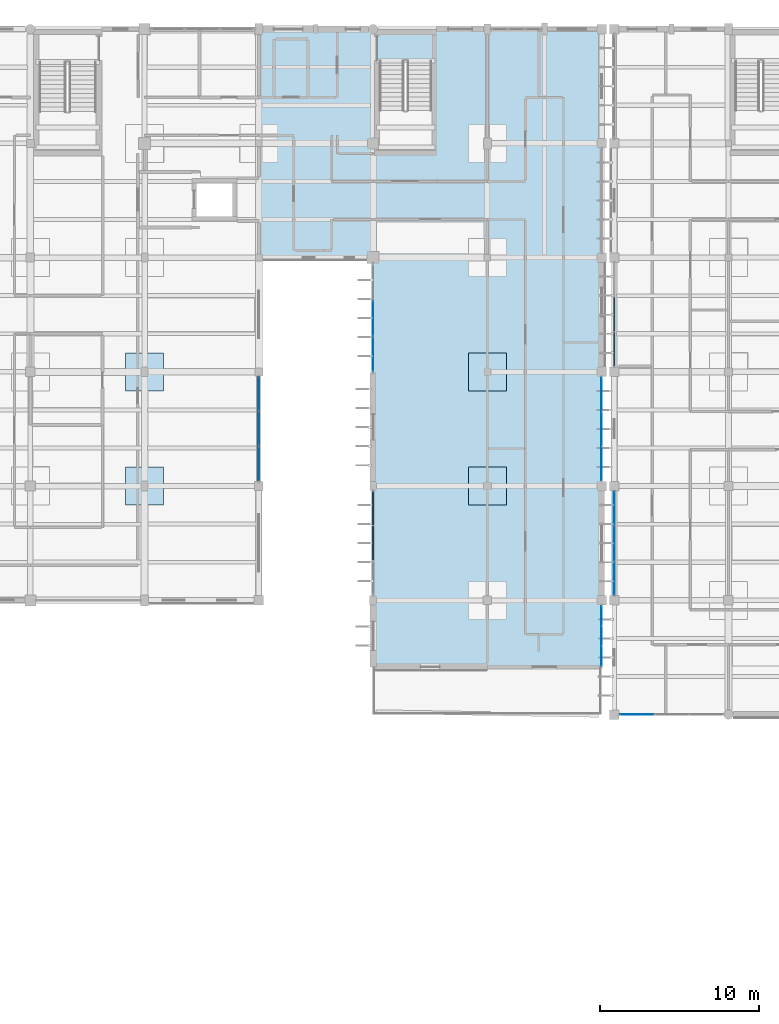
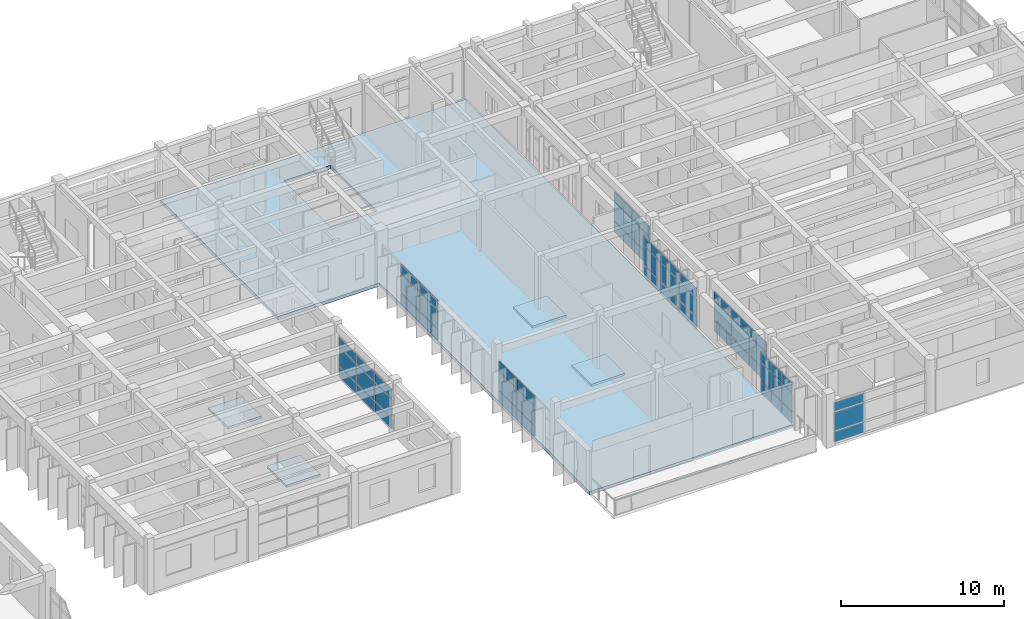
# One storey, part 27 of 55: 57 plates, 5 slabs, 8 elements without a shape of their own.
"""IFC4 building model written with IfcOpenShell, lengths in metres."""

from ifc_helpers import new_model, si_unit, direction, frame, origin, origin_2d, place, context, subcontext, project, spatial, polyline, rectangle, outline, extrude, material, layer, layer_set, type_object, element, aggregate, save


model = new_model("IFC4")

# Units and contexts
model_context = context("Model", 3, precision=1e-05, world=origin(), true_north=direction((0.0, 1.0)))
body_context = subcontext(model_context, "Body", "Model", "MODEL_VIEW")
ifc_project = project(units=[si_unit("LENGTHUNIT", "METRE"), si_unit("AREAUNIT", "SQUARE_METRE"), si_unit("VOLUMEUNIT", "CUBIC_METRE"), si_unit("PLANEANGLEUNIT", "RADIAN"), si_unit("MASSUNIT", "GRAM", prefix="KILO")], contexts=[model_context])

# Site, building, storey
site_placement = place(None, origin())
site = spatial("IfcSite", under=ifc_project, at=site_placement, CompositionType="ELEMENT")
building_placement = place(site_placement, origin())
building = spatial("IfcBuilding", under=site, at=building_placement, Name="Steenspoor Specialist Clinic", CompositionType="ELEMENT")
storey_placement = place(building_placement, frame((0.0, 0.0, 13.199951171875)))
storey = spatial("IfcBuildingStorey", under=building, at=storey_placement, Name="L03", CompositionType="ELEMENT", Elevation=13.199951171875)

# Curtain wall, plates
ifc_material_1 = material(Name="Thermally broken aluminium and low-emissivity glass", Category="aluminium")
curtain_wall_type_1 = type_object("IfcCurtainWallType", Name="CW-TYP-300X355", PredefinedType="USERDEFINED", material=ifc_material_1)
curtain_wall_1_placement = place(storey_placement, origin())
curtain_wall_1 = element("IfcCurtainWall", 1, at=curtain_wall_1_placement, inside=storey, type_object=curtain_wall_type_1, Name="Unitised Curtain Wall CW-V4-L03-111", ObjectType="UNITISED GLAZING", PredefinedType="USERDEFINED")
ifc_material_2 = material(Name="Double low-emissivity insulated glass", Category="glass")
ifc_layer_1 = layer(ifc_material_2, 0.035888671875)
ifc_layer_set_1 = layer_set([ifc_layer_1], Name="Double low-emissivity insulated glass")
plate_type_1 = type_object("IfcPlateType", Name="CW-PAN-GL36", PredefinedType="CURTAIN_PANEL", material=ifc_layer_set_1)
plate_1_placement = place(storey_placement, frame((117.199951171875, 85.333740234375, 0.070068359375), z_axis=(0.0, 0.0, 1.0), x_axis=(0.0, -1.0, 0.0)))
plate_1 = element("IfcPlate", 2, at=plate_1_placement, type_object=plate_type_1, Name="CW-15 panel 1.1", PredefinedType="CURTAIN_PANEL", context=body_context, shape_type="SweptSolid", body=[
    extrude(rectangle(XDim=2.1025390625, YDim=0.035888671875, at=origin_2d()), origin(), (0.0, 0.0, 1.0), 0.794921875),
])
plate_2_placement = place(storey_placement, frame((117.199951171875, 85.333740234375, 0.93505859375), z_axis=(0.0, 0.0, 1.0), x_axis=(0.0, -1.0, 0.0)))
plate_2 = element("IfcPlate", 3, at=plate_2_placement, type_object=plate_type_1, Name="CW-15 panel 1.2", PredefinedType="CURTAIN_PANEL", context=body_context, shape_type="SweptSolid", body=[
    extrude(rectangle(XDim=2.1025390625, YDim=0.035888671875, at=origin_2d()), origin(), (0.0, 0.0, 1.0), 1.3798828125),
])
plate_3_placement = place(storey_placement, frame((117.199951171875, 85.333740234375, 2.38525390625), z_axis=(0.0, 0.0, 1.0), x_axis=(0.0, -1.0, 0.0)))
plate_3 = element("IfcPlate", 4, at=plate_3_placement, type_object=plate_type_1, Name="CW-15 panel 1.3", PredefinedType="CURTAIN_PANEL", context=body_context, shape_type="SweptSolid", body=[
    extrude(rectangle(XDim=2.1025390625, YDim=0.035888671875, at=origin_2d()), origin(), (0.0, 0.0, 1.0), 0.675048828125),
])
plate_4_placement = place(storey_placement, frame((117.199951171875, 83.14990234375, 0.070068359375), z_axis=(0.0, 0.0, 1.0), x_axis=(0.0, -1.0, 0.0)))
plate_4 = element("IfcPlate", 5, at=plate_4_placement, type_object=plate_type_1, Name="CW-15 panel 2.1", PredefinedType="CURTAIN_PANEL", context=body_context, shape_type="SweptSolid", body=[
    extrude(rectangle(XDim=2.135009765625, YDim=0.035888671875, at=origin_2d()), origin(), (0.0, 0.0, 1.0), 0.794921875),
])
plate_5_placement = place(storey_placement, frame((117.199951171875, 83.14990234375, 0.93505859375), z_axis=(0.0, 0.0, 1.0), x_axis=(0.0, -1.0, 0.0)))
plate_5 = element("IfcPlate", 6, at=plate_5_placement, type_object=plate_type_1, Name="CW-15 panel 2.2", PredefinedType="CURTAIN_PANEL", context=body_context, shape_type="SweptSolid", body=[
    extrude(rectangle(XDim=2.135009765625, YDim=0.035888671875, at=origin_2d()), origin(), (0.0, 0.0, 1.0), 1.3798828125),
])
plate_6_placement = place(storey_placement, frame((117.199951171875, 83.14990234375, 2.38525390625), z_axis=(0.0, 0.0, 1.0), x_axis=(0.0, -1.0, 0.0)))
plate_6 = element("IfcPlate", 7, at=plate_6_placement, type_object=plate_type_1, Name="CW-15 panel 2.3", PredefinedType="CURTAIN_PANEL", context=body_context, shape_type="SweptSolid", body=[
    extrude(rectangle(XDim=2.135009765625, YDim=0.035888671875, at=origin_2d()), origin(), (0.0, 0.0, 1.0), 0.675048828125),
])
plate_7_placement = place(storey_placement, frame((117.199951171875, 80.96630859375, 0.070068359375), z_axis=(0.0, 0.0, 1.0), x_axis=(0.0, -1.0, 0.0)))
plate_7 = element("IfcPlate", 8, at=plate_7_placement, type_object=plate_type_1, Name="CW-15 panel 3.1", PredefinedType="CURTAIN_PANEL", context=body_context, shape_type="SweptSolid", body=[
    extrude(rectangle(XDim=2.1025390625, YDim=0.035888671875, at=origin_2d()), origin(), (0.0, 0.0, 1.0), 0.794921875),
])
plate_8_placement = place(storey_placement, frame((117.199951171875, 80.96630859375, 0.93505859375), z_axis=(0.0, 0.0, 1.0), x_axis=(0.0, -1.0, 0.0)))
plate_8 = element("IfcPlate", 9, at=plate_8_placement, type_object=plate_type_1, Name="CW-15 panel 3.2", PredefinedType="CURTAIN_PANEL", context=body_context, shape_type="SweptSolid", body=[
    extrude(rectangle(XDim=2.1025390625, YDim=0.035888671875, at=origin_2d()), origin(), (0.0, 0.0, 1.0), 1.3798828125),
])
plate_9_placement = place(storey_placement, frame((117.199951171875, 80.96630859375, 2.38525390625), z_axis=(0.0, 0.0, 1.0), x_axis=(0.0, -1.0, 0.0)))
plate_9 = element("IfcPlate", 10, at=plate_9_placement, type_object=plate_type_1, Name="CW-15 panel 3.3", PredefinedType="CURTAIN_PANEL", context=body_context, shape_type="SweptSolid", body=[
    extrude(rectangle(XDim=2.1025390625, YDim=0.035888671875, at=origin_2d()), origin(), (0.0, 0.0, 1.0), 0.675048828125),
])
aggregate(curtain_wall_1, [plate_1, plate_2, plate_3, plate_4, plate_5, plate_6, plate_7, plate_8, plate_9])

curtain_wall_type_2 = type_object("IfcCurtainWallType", Name="CW-SCR-480X320", PredefinedType="USERDEFINED", material=ifc_material_1)
curtain_wall_2_placement = place(storey_placement, origin())
curtain_wall_2 = element("IfcCurtainWall", 11, at=curtain_wall_2_placement, inside=storey, type_object=curtain_wall_type_2, Name="Unitised Curtain Wall CW-V4-L03-114", ObjectType="UNITISED GLAZING", PredefinedType="USERDEFINED")
plate_10_placement = place(storey_placement, frame((102.800048828125, 87.86572265625, 0.09033203125), z_axis=(0.0, 0.0, 1.0), x_axis=(0.0, 1.0, 0.0)))
plate_10 = element("IfcPlate", 12, at=plate_10_placement, type_object=plate_type_1, Name="CW-18 panel 1.1", PredefinedType="CURTAIN_PANEL", context=body_context, shape_type="SweptSolid", body=[
    extrude(rectangle(XDim=2.171630859375, YDim=0.035888671875, at=origin_2d()), origin(), (0.0, 0.0, 1.0), 0.764892578125),
])
plate_11_placement = place(storey_placement, frame((102.800048828125, 87.86572265625, 0.94482421875), z_axis=(0.0, 0.0, 1.0), x_axis=(0.0, 1.0, 0.0)))
plate_11 = element("IfcPlate", 13, at=plate_11_placement, type_object=plate_type_1, Name="CW-18 panel 1.2", PredefinedType="CURTAIN_PANEL", context=body_context, shape_type="SweptSolid", body=[
    extrude(rectangle(XDim=2.171630859375, YDim=0.035888671875, at=origin_2d()), origin(), (0.0, 0.0, 1.0), 1.360107421875),
])
plate_12_placement = place(storey_placement, frame((102.800048828125, 87.86572265625, 2.39501953125), z_axis=(0.0, 0.0, 1.0), x_axis=(0.0, 1.0, 0.0)))
plate_12 = element("IfcPlate", 14, at=plate_12_placement, type_object=plate_type_1, Name="CW-18 panel 1.3", PredefinedType="CURTAIN_PANEL", context=body_context, shape_type="SweptSolid", body=[
    extrude(rectangle(XDim=2.171630859375, YDim=0.035888671875, at=origin_2d()), origin(), (0.0, 0.0, 1.0), 0.64501953125),
])
plate_13_placement = place(storey_placement, frame((102.800048828125, 90.137451171875, 0.09033203125), z_axis=(0.0, 0.0, 1.0), x_axis=(0.0, 1.0, 0.0)))
plate_13 = element("IfcPlate", 15, at=plate_13_placement, type_object=plate_type_1, Name="CW-18 panel 2.1", PredefinedType="CURTAIN_PANEL", context=body_context, shape_type="SweptSolid", body=[
    extrude(rectangle(XDim=2.211669921875, YDim=0.035888671875, at=origin_2d()), origin(), (0.0, 0.0, 1.0), 0.764892578125),
])
plate_14_placement = place(storey_placement, frame((102.800048828125, 90.137451171875, 0.94482421875), z_axis=(0.0, 0.0, 1.0), x_axis=(0.0, 1.0, 0.0)))
plate_14 = element("IfcPlate", 16, at=plate_14_placement, type_object=plate_type_1, Name="CW-18 panel 2.2", PredefinedType="CURTAIN_PANEL", context=body_context, shape_type="SweptSolid", body=[
    extrude(rectangle(XDim=2.211669921875, YDim=0.035888671875, at=origin_2d()), origin(), (0.0, 0.0, 1.0), 1.360107421875),
])
plate_15_placement = place(storey_placement, frame((102.800048828125, 90.137451171875, 2.39501953125), z_axis=(0.0, 0.0, 1.0), x_axis=(0.0, 1.0, 0.0)))
plate_15 = element("IfcPlate", 17, at=plate_15_placement, type_object=plate_type_1, Name="CW-18 panel 2.3", PredefinedType="CURTAIN_PANEL", context=body_context, shape_type="SweptSolid", body=[
    extrude(rectangle(XDim=2.211669921875, YDim=0.035888671875, at=origin_2d()), origin(), (0.0, 0.0, 1.0), 0.64501953125),
])
aggregate(curtain_wall_2, [plate_10, plate_11, plate_12, plate_13, plate_14, plate_15])

curtain_wall_type_3 = type_object("IfcCurtainWallType", Name="CW-HALL-480X820", PredefinedType="USERDEFINED", material=ifc_material_1)
curtain_wall_3_placement = place(storey_placement, origin())
curtain_wall_3 = element("IfcCurtainWall", 18, at=curtain_wall_3_placement, inside=storey, type_object=curtain_wall_type_3, Name="Unitised Curtain Wall CW-V6-L03-195", ObjectType="UNITISED GLAZING", PredefinedType="USERDEFINED")
plate_16_placement = place(storey_placement, frame((119.416259765625, 65.14990234375, 0.080078125), z_axis=(0.0, 0.0, 1.0), x_axis=(-1.0, 0.0, 0.0)))
plate_16 = element("IfcPlate", 19, at=plate_16_placement, type_object=plate_type_1, Name="CW-03 panel 3.1", PredefinedType="CURTAIN_PANEL", context=body_context, shape_type="SweptSolid", body=[
    extrude(rectangle(XDim=2.1025390625, YDim=0.035888671875, at=origin_2d()), origin(), (0.0, 0.0, 1.0), 0.780029296875),
])
plate_17_placement = place(storey_placement, frame((119.416259765625, 65.14990234375, 0.93994140625), z_axis=(0.0, 0.0, 1.0), x_axis=(-1.0, 0.0, 0.0)))
plate_17 = element("IfcPlate", 20, at=plate_17_placement, type_object=plate_type_1, Name="CW-03 panel 3.2", PredefinedType="CURTAIN_PANEL", context=body_context, shape_type="SweptSolid", body=[
    extrude(rectangle(XDim=2.1025390625, YDim=0.035888671875, at=origin_2d()), origin(), (0.0, 0.0, 1.0), 1.3701171875),
])
plate_18_placement = place(storey_placement, frame((119.416259765625, 65.14990234375, 2.39013671875), z_axis=(0.0, 0.0, 1.0), x_axis=(-1.0, 0.0, 0.0)))
plate_18 = element("IfcPlate", 21, at=plate_18_placement, type_object=plate_type_1, Name="CW-03 panel 3.3", PredefinedType="CURTAIN_PANEL", context=body_context, shape_type="SweptSolid", body=[
    extrude(rectangle(XDim=2.1025390625, YDim=0.035888671875, at=origin_2d()), origin(), (0.0, 0.0, 1.0), 0.659912109375),
])
aggregate(curtain_wall_3, [plate_16, plate_17, plate_18])

curtain_wall_type_4 = type_object("IfcCurtainWallType", Name="CW-TYP-240X355", PredefinedType="USERDEFINED", material=ifc_material_1)
curtain_wall_4_placement = place(storey_placement, origin())
curtain_wall_4 = element("IfcCurtainWall", 22, at=curtain_wall_4_placement, inside=storey, type_object=curtain_wall_type_4, Name="Unitised Curtain Wall CW-V4-L03-112", ObjectType="UNITISED GLAZING", PredefinedType="USERDEFINED")
ifc_material_3 = material(Name="Triple acoustic laminated low-emissivity glass", Category="glass")
ifc_layer_2 = layer(ifc_material_3, 0.048095703125)
ifc_layer_set_2 = layer_set([ifc_layer_2], Name="Triple acoustic laminated low-emissivity glass")
plate_type_2 = type_object("IfcPlateType", Name="CW-PAN-GL48", PredefinedType="CURTAIN_PANEL", material=ifc_layer_set_2)
plate_19_placement = place(storey_placement, frame((117.199951171875, 71.385009765625, 0.06494140625), z_axis=(0.0, 0.0, 1.0), x_axis=(0.0, -1.0, 0.0)))
plate_19 = element("IfcPlate", 23, at=plate_19_placement, type_object=plate_type_2, Name="CW-16 panel 1.1", PredefinedType="CURTAIN_PANEL", context=body_context, shape_type="SweptSolid", body=[
    extrude(rectangle(XDim=1.2099609375, YDim=0.048095703125, at=origin_2d()), origin(), (0.0, 0.0, 1.0), 0.802490234375),
])
plate_20_placement = place(storey_placement, frame((117.199951171875, 71.385009765625, 0.9326171875), z_axis=(0.0, 0.0, 1.0), x_axis=(0.0, -1.0, 0.0)))
plate_20 = element("IfcPlate", 24, at=plate_20_placement, type_object=plate_type_2, Name="CW-16 panel 1.2", PredefinedType="CURTAIN_PANEL", context=body_context, shape_type="SweptSolid", body=[
    extrude(rectangle(XDim=1.2099609375, YDim=0.048095703125, at=origin_2d()), origin(), (0.0, 0.0, 1.0), 1.385009765625),
])
plate_21_placement = place(storey_placement, frame((117.199951171875, 71.385009765625, 2.382568359375), z_axis=(0.0, 0.0, 1.0), x_axis=(0.0, -1.0, 0.0)))
plate_21 = element("IfcPlate", 25, at=plate_21_placement, type_object=plate_type_2, Name="CW-16 panel 1.3", PredefinedType="CURTAIN_PANEL", context=body_context, shape_type="SweptSolid", body=[
    extrude(rectangle(XDim=1.2099609375, YDim=0.048095703125, at=origin_2d()), origin(), (0.0, 0.0, 1.0), 0.6826171875),
])
plate_22_placement = place(storey_placement, frame((117.199951171875, 70.10009765625, 0.06494140625), z_axis=(0.0, 0.0, 1.0), x_axis=(0.0, -1.0, 0.0)))
plate_22 = element("IfcPlate", 26, at=plate_22_placement, type_object=plate_type_2, Name="CW-16 panel 2.1", PredefinedType="CURTAIN_PANEL", context=body_context, shape_type="SweptSolid", body=[
    extrude(rectangle(XDim=1.239990234375, YDim=0.048095703125, at=origin_2d()), origin(), (0.0, 0.0, 1.0), 0.802490234375),
])
plate_23_placement = place(storey_placement, frame((117.199951171875, 70.10009765625, 0.9326171875), z_axis=(0.0, 0.0, 1.0), x_axis=(0.0, -1.0, 0.0)))
plate_23 = element("IfcPlate", 27, at=plate_23_placement, type_object=plate_type_2, Name="CW-16 panel 2.2", PredefinedType="CURTAIN_PANEL", context=body_context, shape_type="SweptSolid", body=[
    extrude(rectangle(XDim=1.239990234375, YDim=0.048095703125, at=origin_2d()), origin(), (0.0, 0.0, 1.0), 1.385009765625),
])
plate_24_placement = place(storey_placement, frame((117.199951171875, 70.10009765625, 2.382568359375), z_axis=(0.0, 0.0, 1.0), x_axis=(0.0, -1.0, 0.0)))
plate_24 = element("IfcPlate", 28, at=plate_24_placement, type_object=plate_type_2, Name="CW-16 panel 2.3", PredefinedType="CURTAIN_PANEL", context=body_context, shape_type="SweptSolid", body=[
    extrude(rectangle(XDim=1.239990234375, YDim=0.048095703125, at=origin_2d()), origin(), (0.0, 0.0, 1.0), 0.6826171875),
])
plate_25_placement = place(storey_placement, frame((117.199951171875, 68.81494140625, 0.06494140625), z_axis=(0.0, 0.0, 1.0), x_axis=(0.0, -1.0, 0.0)))
plate_25 = element("IfcPlate", 29, at=plate_25_placement, type_object=plate_type_2, Name="CW-16 panel 3.1", PredefinedType="CURTAIN_PANEL", context=body_context, shape_type="SweptSolid", body=[
    extrude(rectangle(XDim=1.2099609375, YDim=0.048095703125, at=origin_2d()), origin(), (0.0, 0.0, 1.0), 0.802490234375),
])
plate_26_placement = place(storey_placement, frame((117.199951171875, 68.81494140625, 0.9326171875), z_axis=(0.0, 0.0, 1.0), x_axis=(0.0, -1.0, 0.0)))
plate_26 = element("IfcPlate", 30, at=plate_26_placement, type_object=plate_type_2, Name="CW-16 panel 3.2", PredefinedType="CURTAIN_PANEL", context=body_context, shape_type="SweptSolid", body=[
    extrude(rectangle(XDim=1.2099609375, YDim=0.048095703125, at=origin_2d()), origin(), (0.0, 0.0, 1.0), 1.385009765625),
])
plate_27_placement = place(storey_placement, frame((117.199951171875, 68.81494140625, 2.382568359375), z_axis=(0.0, 0.0, 1.0), x_axis=(0.0, -1.0, 0.0)))
plate_27 = element("IfcPlate", 31, at=plate_27_placement, type_object=plate_type_2, Name="CW-16 panel 3.3", PredefinedType="CURTAIN_PANEL", context=body_context, shape_type="SweptSolid", body=[
    extrude(rectangle(XDim=1.2099609375, YDim=0.048095703125, at=origin_2d()), origin(), (0.0, 0.0, 1.0), 0.6826171875),
])
aggregate(curtain_wall_4, [plate_19, plate_20, plate_21, plate_22, plate_23, plate_24, plate_25, plate_26, plate_27])

curtain_wall_type_5 = type_object("IfcCurtainWallType", Name="CW-SCR-360X320", PredefinedType="USERDEFINED", material=ifc_material_1)
curtain_wall_5_placement = place(storey_placement, origin())
curtain_wall_5 = element("IfcCurtainWall", 32, at=curtain_wall_5_placement, inside=storey, type_object=curtain_wall_type_5, Name="Unitised Curtain Wall CW-V4-L03-115", ObjectType="UNITISED GLAZING", PredefinedType="USERDEFINED")
plate_28_placement = place(storey_placement, frame((95.60009765625, 85.367431640625, 0.080078125), z_axis=(0.0, 0.0, 1.0), x_axis=(0.0, -1.0, 0.0)))
plate_28 = element("IfcPlate", 33, at=plate_28_placement, type_object=plate_type_2, Name="CW-19 panel 1.1", PredefinedType="CURTAIN_PANEL", context=body_context, shape_type="SweptSolid", body=[
    extrude(rectangle(XDim=2.10498046875, YDim=0.048095703125, at=origin_2d()), origin(), (0.0, 0.0, 1.0), 0.780029296875),
])
plate_29_placement = place(storey_placement, frame((95.60009765625, 85.367431640625, 0.93994140625), z_axis=(0.0, 0.0, 1.0), x_axis=(0.0, -1.0, 0.0)))
plate_29 = element("IfcPlate", 34, at=plate_29_placement, type_object=plate_type_2, Name="CW-19 panel 1.2", PredefinedType="CURTAIN_PANEL", context=body_context, shape_type="SweptSolid", body=[
    extrude(rectangle(XDim=2.10498046875, YDim=0.048095703125, at=origin_2d()), origin(), (0.0, 0.0, 1.0), 1.3701171875),
])
plate_30_placement = place(storey_placement, frame((95.60009765625, 85.367431640625, 2.39013671875), z_axis=(0.0, 0.0, 1.0), x_axis=(0.0, -1.0, 0.0)))
plate_30 = element("IfcPlate", 35, at=plate_30_placement, type_object=plate_type_2, Name="CW-19 panel 1.3", PredefinedType="CURTAIN_PANEL", context=body_context, shape_type="SweptSolid", body=[
    extrude(rectangle(XDim=2.10498046875, YDim=0.048095703125, at=origin_2d()), origin(), (0.0, 0.0, 1.0), 0.659912109375),
])
plate_31_placement = place(storey_placement, frame((95.60009765625, 83.16259765625, 0.080078125), z_axis=(0.0, 0.0, 1.0), x_axis=(0.0, -1.0, 0.0)))
plate_31 = element("IfcPlate", 36, at=plate_31_placement, type_object=plate_type_2, Name="CW-19 panel 2.1", PredefinedType="CURTAIN_PANEL", context=body_context, shape_type="SweptSolid", body=[
    extrude(rectangle(XDim=2.14501953125, YDim=0.048095703125, at=origin_2d()), origin(), (0.0, 0.0, 1.0), 0.780029296875),
])
plate_32_placement = place(storey_placement, frame((95.60009765625, 83.16259765625, 0.93994140625), z_axis=(0.0, 0.0, 1.0), x_axis=(0.0, -1.0, 0.0)))
plate_32 = element("IfcPlate", 37, at=plate_32_placement, type_object=plate_type_2, Name="CW-19 panel 2.2", PredefinedType="CURTAIN_PANEL", context=body_context, shape_type="SweptSolid", body=[
    extrude(rectangle(XDim=2.14501953125, YDim=0.048095703125, at=origin_2d()), origin(), (0.0, 0.0, 1.0), 1.3701171875),
])
plate_33_placement = place(storey_placement, frame((95.60009765625, 83.16259765625, 2.39013671875), z_axis=(0.0, 0.0, 1.0), x_axis=(0.0, -1.0, 0.0)))
plate_33 = element("IfcPlate", 38, at=plate_33_placement, type_object=plate_type_2, Name="CW-19 panel 2.3", PredefinedType="CURTAIN_PANEL", context=body_context, shape_type="SweptSolid", body=[
    extrude(rectangle(XDim=2.14501953125, YDim=0.048095703125, at=origin_2d()), origin(), (0.0, 0.0, 1.0), 0.659912109375),
])
plate_34_placement = place(storey_placement, frame((95.60009765625, 80.95751953125, 0.080078125), z_axis=(0.0, 0.0, 1.0), x_axis=(0.0, -1.0, 0.0)))
plate_34 = element("IfcPlate", 39, at=plate_34_placement, type_object=plate_type_2, Name="CW-19 panel 3.1", PredefinedType="CURTAIN_PANEL", context=body_context, shape_type="SweptSolid", body=[
    extrude(rectangle(XDim=2.10498046875, YDim=0.048095703125, at=origin_2d()), origin(), (0.0, 0.0, 1.0), 0.780029296875),
])
plate_35_placement = place(storey_placement, frame((95.60009765625, 80.95751953125, 0.93994140625), z_axis=(0.0, 0.0, 1.0), x_axis=(0.0, -1.0, 0.0)))
plate_35 = element("IfcPlate", 40, at=plate_35_placement, type_object=plate_type_2, Name="CW-19 panel 3.2", PredefinedType="CURTAIN_PANEL", context=body_context, shape_type="SweptSolid", body=[
    extrude(rectangle(XDim=2.10498046875, YDim=0.048095703125, at=origin_2d()), origin(), (0.0, 0.0, 1.0), 1.3701171875),
])
plate_36_placement = place(storey_placement, frame((95.60009765625, 80.95751953125, 2.39013671875), z_axis=(0.0, 0.0, 1.0), x_axis=(0.0, -1.0, 0.0)))
plate_36 = element("IfcPlate", 41, at=plate_36_placement, type_object=plate_type_2, Name="CW-19 panel 3.3", PredefinedType="CURTAIN_PANEL", context=body_context, shape_type="SweptSolid", body=[
    extrude(rectangle(XDim=2.10498046875, YDim=0.048095703125, at=origin_2d()), origin(), (0.0, 0.0, 1.0), 0.659912109375),
])
aggregate(curtain_wall_5, [plate_28, plate_29, plate_30, plate_31, plate_32, plate_33, plate_34, plate_35, plate_36])

curtain_wall_type_6 = type_object("IfcCurtainWallType", Name="CW-L00-660X415", PredefinedType="USERDEFINED", material=ifc_material_1)
curtain_wall_6_placement = place(storey_placement, origin())
curtain_wall_6 = element("IfcCurtainWall", 42, at=curtain_wall_6_placement, inside=storey, type_object=curtain_wall_type_6, Name="Unitised Curtain Wall CW-V6-L03-196", ObjectType="UNITISED GLAZING", PredefinedType="USERDEFINED")
plate_37_placement = place(storey_placement, frame((118.0, 73.764892578125, 0.070068359375), z_axis=(0.0, 0.0, 1.0), x_axis=(0.0, 1.0, 0.0)))
plate_37 = element("IfcPlate", 43, at=plate_37_placement, type_object=plate_type_2, Name="CW-04 panel 1.1", PredefinedType="CURTAIN_PANEL", context=body_context, shape_type="SweptSolid", body=[
    extrude(rectangle(XDim=2.110107421875, YDim=0.048095703125, at=origin_2d()), origin(), (0.0, 0.0, 1.0), 0.794921875),
])
plate_38_placement = place(storey_placement, frame((118.0, 73.764892578125, 0.93505859375), z_axis=(0.0, 0.0, 1.0), x_axis=(0.0, 1.0, 0.0)))
plate_38 = element("IfcPlate", 44, at=plate_38_placement, type_object=plate_type_2, Name="CW-04 panel 1.2", PredefinedType="CURTAIN_PANEL", context=body_context, shape_type="SweptSolid", body=[
    extrude(rectangle(XDim=2.110107421875, YDim=0.048095703125, at=origin_2d()), origin(), (0.0, 0.0, 1.0), 1.3798828125),
])
plate_39_placement = place(storey_placement, frame((118.0, 73.764892578125, 2.38525390625), z_axis=(0.0, 0.0, 1.0), x_axis=(0.0, 1.0, 0.0)))
plate_39 = element("IfcPlate", 45, at=plate_39_placement, type_object=plate_type_2, Name="CW-04 panel 1.3", PredefinedType="CURTAIN_PANEL", context=body_context, shape_type="SweptSolid", body=[
    extrude(rectangle(XDim=2.110107421875, YDim=0.048095703125, at=origin_2d()), origin(), (0.0, 0.0, 1.0), 0.675048828125),
])
plate_40_placement = place(storey_placement, frame((118.0, 75.949951171875, 0.070068359375), z_axis=(0.0, 0.0, 1.0), x_axis=(0.0, 1.0, 0.0)))
plate_40 = element("IfcPlate", 46, at=plate_40_placement, type_object=plate_type_2, Name="CW-04 panel 2.1", PredefinedType="CURTAIN_PANEL", context=body_context, shape_type="SweptSolid", body=[
    extrude(rectangle(XDim=2.139892578125, YDim=0.048095703125, at=origin_2d()), origin(), (0.0, 0.0, 1.0), 0.794921875),
])
plate_41_placement = place(storey_placement, frame((118.0, 75.949951171875, 0.93505859375), z_axis=(0.0, 0.0, 1.0), x_axis=(0.0, 1.0, 0.0)))
plate_41 = element("IfcPlate", 47, at=plate_41_placement, type_object=plate_type_2, Name="CW-04 panel 2.2", PredefinedType="CURTAIN_PANEL", context=body_context, shape_type="SweptSolid", body=[
    extrude(rectangle(XDim=2.139892578125, YDim=0.048095703125, at=origin_2d()), origin(), (0.0, 0.0, 1.0), 1.3798828125),
])
plate_42_placement = place(storey_placement, frame((118.0, 75.949951171875, 2.38525390625), z_axis=(0.0, 0.0, 1.0), x_axis=(0.0, 1.0, 0.0)))
plate_42 = element("IfcPlate", 48, at=plate_42_placement, type_object=plate_type_2, Name="CW-04 panel 2.3", PredefinedType="CURTAIN_PANEL", context=body_context, shape_type="SweptSolid", body=[
    extrude(rectangle(XDim=2.139892578125, YDim=0.048095703125, at=origin_2d()), origin(), (0.0, 0.0, 1.0), 0.675048828125),
])
plate_43_placement = place(storey_placement, frame((118.0, 78.135009765625, 0.070068359375), z_axis=(0.0, 0.0, 1.0), x_axis=(0.0, 1.0, 0.0)))
plate_43 = element("IfcPlate", 49, at=plate_43_placement, type_object=plate_type_2, Name="CW-04 panel 3.1", PredefinedType="CURTAIN_PANEL", context=body_context, shape_type="SweptSolid", body=[
    extrude(rectangle(XDim=2.110107421875, YDim=0.048095703125, at=origin_2d()), origin(), (0.0, 0.0, 1.0), 0.794921875),
])
plate_44_placement = place(storey_placement, frame((118.0, 78.135009765625, 0.93505859375), z_axis=(0.0, 0.0, 1.0), x_axis=(0.0, 1.0, 0.0)))
plate_44 = element("IfcPlate", 50, at=plate_44_placement, type_object=plate_type_2, Name="CW-04 panel 3.2", PredefinedType="CURTAIN_PANEL", context=body_context, shape_type="SweptSolid", body=[
    extrude(rectangle(XDim=2.110107421875, YDim=0.048095703125, at=origin_2d()), origin(), (0.0, 0.0, 1.0), 1.3798828125),
])
plate_45_placement = place(storey_placement, frame((118.0, 78.135009765625, 2.38525390625), z_axis=(0.0, 0.0, 1.0), x_axis=(0.0, 1.0, 0.0)))
plate_45 = element("IfcPlate", 51, at=plate_45_placement, type_object=plate_type_2, Name="CW-04 panel 3.3", PredefinedType="CURTAIN_PANEL", context=body_context, shape_type="SweptSolid", body=[
    extrude(rectangle(XDim=2.110107421875, YDim=0.048095703125, at=origin_2d()), origin(), (0.0, 0.0, 1.0), 0.675048828125),
])
aggregate(curtain_wall_6, [plate_37, plate_38, plate_39, plate_40, plate_41, plate_42, plate_43, plate_44, plate_45])

curtain_wall_type_7 = type_object("IfcCurtainWallType", Name="CW-SCR-660X320", PredefinedType="USERDEFINED", material=ifc_material_1)
curtain_wall_7_placement = place(storey_placement, origin())
curtain_wall_7 = element("IfcCurtainWall", 52, at=curtain_wall_7_placement, inside=storey, type_object=curtain_wall_type_7, Name="Unitised Curtain Wall CW-V4-L03-113", ObjectType="UNITISED GLAZING", PredefinedType="USERDEFINED")
ifc_material_4 = material(Name="Insulated glazed ceramic spandrel panel", Category="glass")
ifc_layer_3 = layer(ifc_material_4, 0.074951171875)
ifc_layer_set_3 = layer_set([ifc_layer_3], Name="Insulated glazed ceramic spandrel panel")
plate_type_3 = type_object("IfcPlateType", Name="CW-PAN-SP75", PredefinedType="CURTAIN_PANEL", material=ifc_layer_set_3)
plate_46_placement = place(storey_placement, frame((102.800048828125, 75.96240234375, 0.06005859375), z_axis=(0.0, 0.0, 1.0), x_axis=(0.0, 1.0, 0.0)))
plate_46 = element("IfcPlate", 53, at=plate_46_placement, type_object=plate_type_3, Name="CW-17 panel 2.1", PredefinedType="CURTAIN_PANEL", context=body_context, shape_type="SweptSolid", body=[
    extrude(rectangle(XDim=2.118408203125, YDim=0.074951171875, at=origin_2d()), origin(), (0.0, 0.0, 1.0), 0.81005859375),
])
plate_47_placement = place(storey_placement, frame((102.800048828125, 75.96240234375, 0.93017578125), z_axis=(0.0, 0.0, 1.0), x_axis=(0.0, 1.0, 0.0)))
plate_47 = element("IfcPlate", 54, at=plate_47_placement, type_object=plate_type_3, Name="CW-17 panel 2.2", PredefinedType="CURTAIN_PANEL", context=body_context, shape_type="SweptSolid", body=[
    extrude(rectangle(XDim=2.118408203125, YDim=0.074951171875, at=origin_2d()), origin(), (0.0, 0.0, 1.0), 1.389892578125),
])
plate_48_placement = place(storey_placement, frame((102.800048828125, 75.96240234375, 2.380126953125), z_axis=(0.0, 0.0, 1.0), x_axis=(0.0, 1.0, 0.0)))
plate_48 = element("IfcPlate", 55, at=plate_48_placement, type_object=plate_type_3, Name="CW-17 panel 2.3", PredefinedType="CURTAIN_PANEL", context=body_context, shape_type="SweptSolid", body=[
    extrude(rectangle(XDim=2.118408203125, YDim=0.074951171875, at=origin_2d()), origin(), (0.0, 0.0, 1.0), 0.68994140625),
])
plate_49_placement = place(storey_placement, frame((102.800048828125, 78.1484375, 0.06005859375), z_axis=(0.0, 0.0, 1.0), x_axis=(0.0, 1.0, 0.0)))
plate_49 = element("IfcPlate", 56, at=plate_49_placement, type_object=plate_type_3, Name="CW-17 panel 3.1", PredefinedType="CURTAIN_PANEL", context=body_context, shape_type="SweptSolid", body=[
    extrude(rectangle(XDim=2.0732421875, YDim=0.074951171875, at=origin_2d()), origin(), (0.0, 0.0, 1.0), 0.81005859375),
])
plate_50_placement = place(storey_placement, frame((102.800048828125, 78.1484375, 0.93017578125), z_axis=(0.0, 0.0, 1.0), x_axis=(0.0, 1.0, 0.0)))
plate_50 = element("IfcPlate", 57, at=plate_50_placement, type_object=plate_type_3, Name="CW-17 panel 3.2", PredefinedType="CURTAIN_PANEL", context=body_context, shape_type="SweptSolid", body=[
    extrude(rectangle(XDim=2.0732421875, YDim=0.074951171875, at=origin_2d()), origin(), (0.0, 0.0, 1.0), 1.389892578125),
])
plate_51_placement = place(storey_placement, frame((102.800048828125, 78.1484375, 2.380126953125), z_axis=(0.0, 0.0, 1.0), x_axis=(0.0, 1.0, 0.0)))
plate_51 = element("IfcPlate", 58, at=plate_51_placement, type_object=plate_type_3, Name="CW-17 panel 3.3", PredefinedType="CURTAIN_PANEL", context=body_context, shape_type="SweptSolid", body=[
    extrude(rectangle(XDim=2.0732421875, YDim=0.074951171875, at=origin_2d()), origin(), (0.0, 0.0, 1.0), 0.68994140625),
])
aggregate(curtain_wall_7, [plate_46, plate_47, plate_48, plate_49, plate_50, plate_51])

curtain_wall_type_8 = type_object("IfcCurtainWallType", Name="CW-L00-650X415", PredefinedType="USERDEFINED", material=ifc_material_1)
curtain_wall_8_placement = place(storey_placement, origin())
curtain_wall_8 = element("IfcCurtainWall", 59, at=curtain_wall_8_placement, inside=storey, type_object=curtain_wall_type_8, Name="Unitised Curtain Wall CW-V6-L03-197", ObjectType="UNITISED GLAZING", PredefinedType="USERDEFINED")
plate_52_placement = place(storey_placement, frame((118.0, 88.172607421875, 0.06494140625), z_axis=(0.0, 0.0, 1.0), x_axis=(0.0, 1.0, 0.0)))
plate_52 = element("IfcPlate", 60, at=plate_52_placement, type_object=plate_type_3, Name="CW-05 panel 1.1", PredefinedType="CURTAIN_PANEL", context=body_context, shape_type="SweptSolid", body=[
    extrude(rectangle(XDim=2.06494140625, YDim=0.074951171875, at=origin_2d()), origin(), (0.0, 0.0, 1.0), 0.802490234375),
])
plate_53_placement = place(storey_placement, frame((118.0, 88.172607421875, 0.9326171875), z_axis=(0.0, 0.0, 1.0), x_axis=(0.0, 1.0, 0.0)))
plate_53 = element("IfcPlate", 61, at=plate_53_placement, type_object=plate_type_3, Name="CW-05 panel 1.2", PredefinedType="CURTAIN_PANEL", context=body_context, shape_type="SweptSolid", body=[
    extrude(rectangle(XDim=2.06494140625, YDim=0.074951171875, at=origin_2d()), origin(), (0.0, 0.0, 1.0), 1.385009765625),
])
plate_54_placement = place(storey_placement, frame((118.0, 88.172607421875, 2.382568359375), z_axis=(0.0, 0.0, 1.0), x_axis=(0.0, 1.0, 0.0)))
plate_54 = element("IfcPlate", 62, at=plate_54_placement, type_object=plate_type_3, Name="CW-05 panel 1.3", PredefinedType="CURTAIN_PANEL", context=body_context, shape_type="SweptSolid", body=[
    extrude(rectangle(XDim=2.06494140625, YDim=0.074951171875, at=origin_2d()), origin(), (0.0, 0.0, 1.0), 0.6826171875),
])
plate_55_placement = place(storey_placement, frame((118.0, 90.35009765625, 0.06494140625), z_axis=(0.0, 0.0, 1.0), x_axis=(0.0, 1.0, 0.0)))
plate_55 = element("IfcPlate", 63, at=plate_55_placement, type_object=plate_type_3, Name="CW-05 panel 2.1", PredefinedType="CURTAIN_PANEL", context=body_context, shape_type="SweptSolid", body=[
    extrude(rectangle(XDim=2.110107421875, YDim=0.074951171875, at=origin_2d()), origin(), (0.0, 0.0, 1.0), 0.802490234375),
])
plate_56_placement = place(storey_placement, frame((118.0, 90.35009765625, 0.9326171875), z_axis=(0.0, 0.0, 1.0), x_axis=(0.0, 1.0, 0.0)))
plate_56 = element("IfcPlate", 64, at=plate_56_placement, type_object=plate_type_3, Name="CW-05 panel 2.2", PredefinedType="CURTAIN_PANEL", context=body_context, shape_type="SweptSolid", body=[
    extrude(rectangle(XDim=2.110107421875, YDim=0.074951171875, at=origin_2d()), origin(), (0.0, 0.0, 1.0), 1.385009765625),
])
plate_57_placement = place(storey_placement, frame((118.0, 90.35009765625, 2.382568359375), z_axis=(0.0, 0.0, 1.0), x_axis=(0.0, 1.0, 0.0)))
plate_57 = element("IfcPlate", 65, at=plate_57_placement, type_object=plate_type_3, Name="CW-05 panel 2.3", PredefinedType="CURTAIN_PANEL", context=body_context, shape_type="SweptSolid", body=[
    extrude(rectangle(XDim=2.110107421875, YDim=0.074951171875, at=origin_2d()), origin(), (0.0, 0.0, 1.0), 0.6826171875),
])
aggregate(curtain_wall_8, [plate_52, plate_53, plate_54, plate_55, plate_56, plate_57])

# Slabs
ifc_material_5 = material(Name="Concrete C35/45", Category="concrete")
ifc_layer_4 = layer(ifc_material_5, 0.169921875)
ifc_layer_set_4 = layer_set([ifc_layer_4], Name="Concrete C35/45")
slab_type_1 = type_object("IfcSlabType", Name="SL-DROP-170", PredefinedType="USERDEFINED", material=ifc_layer_set_4)
slab_1_placement = place(storey_placement, frame((0.0, 0.0, -0.419921875)))
element("IfcSlab", 66, at=slab_1_placement, inside=storey, type_object=slab_type_1, Name="Column Drop Panel DROP-V4-L03-064", ObjectType="DROP PANEL", PredefinedType="USERDEFINED", context=body_context, shape_type="SweptSolid", body=[
    extrude(outline(polyline([(89.60009765625, 78.35009765625), (89.60009765625, 80.75), (87.199951171875, 80.75), (87.199951171875, 78.35009765625), (89.60009765625, 78.35009765625)])), origin(), (0.0, 0.0, 1.0), 0.169921875),
])
slab_2_placement = place(storey_placement, frame((0.0, 0.0, -0.419921875)))
element("IfcSlab", 67, at=slab_2_placement, inside=storey, type_object=slab_type_1, Name="Column Drop Panel DROP-V4-L03-065", ObjectType="DROP PANEL", PredefinedType="USERDEFINED", context=body_context, shape_type="SweptSolid", body=[
    extrude(outline(polyline([(89.60009765625, 85.550048828125), (89.60009765625, 87.949951171875), (87.199951171875, 87.949951171875), (87.199951171875, 85.550048828125), (89.60009765625, 85.550048828125)])), origin(), (0.0, 0.0, 1.0), 0.169921875),
])
slab_3_placement = place(storey_placement, frame((0.0, 0.0, -0.419921875)))
element("IfcSlab", 68, at=slab_3_placement, inside=storey, type_object=slab_type_1, Name="Column Drop Panel DROP-V4-L03-070", ObjectType="DROP PANEL", PredefinedType="USERDEFINED", context=body_context, shape_type="SweptSolid", body=[
    extrude(outline(polyline([(111.199951171875, 78.35009765625), (111.199951171875, 80.75), (108.800048828125, 80.75), (108.800048828125, 78.35009765625), (111.199951171875, 78.35009765625)])), origin(), (0.0, 0.0, 1.0), 0.169921875),
])
slab_4_placement = place(storey_placement, frame((0.0, 0.0, -0.419921875)))
element("IfcSlab", 69, at=slab_4_placement, inside=storey, type_object=slab_type_1, Name="Column Drop Panel DROP-V4-L03-071", ObjectType="DROP PANEL", PredefinedType="USERDEFINED", context=body_context, shape_type="SweptSolid", body=[
    extrude(outline(polyline([(111.199951171875, 85.550048828125), (111.199951171875, 87.949951171875), (108.800048828125, 87.949951171875), (108.800048828125, 85.550048828125), (111.199951171875, 85.550048828125)])), origin(), (0.0, 0.0, 1.0), 0.169921875),
])
ifc_layer_5 = layer(ifc_material_5, 0.25)
ifc_layer_set_5 = layer_set([ifc_layer_5], Name="Concrete C35/45")
slab_type_2 = type_object("IfcSlabType", Name="SL-FLAT-250", PredefinedType="FLOOR", material=ifc_layer_set_5)
slab_5_placement = place(storey_placement, frame((0.0, 0.0, -0.25)))
element("IfcSlab", 70, at=slab_5_placement, inside=storey, type_object=slab_type_2, Name="Structural Slab SLAB-V4-L03-024", PredefinedType="FLOOR", context=body_context, shape_type="SweptSolid", body=[
    extrude(outline(polyline([(117.199951171875, 108.35009765625), (117.199951171875, 93.949951171875), (117.199951171875, 68.14990234375), (102.800048828125, 68.14990234375), (102.800048828125, 93.949951171875), (95.60009765625, 93.949951171875), (95.60009765625, 108.35009765625), (117.199951171875, 108.35009765625)]), holes=[polyline([(103.199951171875, 106.35009765625), (103.199951171875, 100.699951171875), (106.5, 100.699951171875), (106.5, 106.35009765625), (103.199951171875, 106.35009765625)])]), origin(), (0.0, 0.0, 1.0), 0.25),
])

save(model, "model.ifc")
